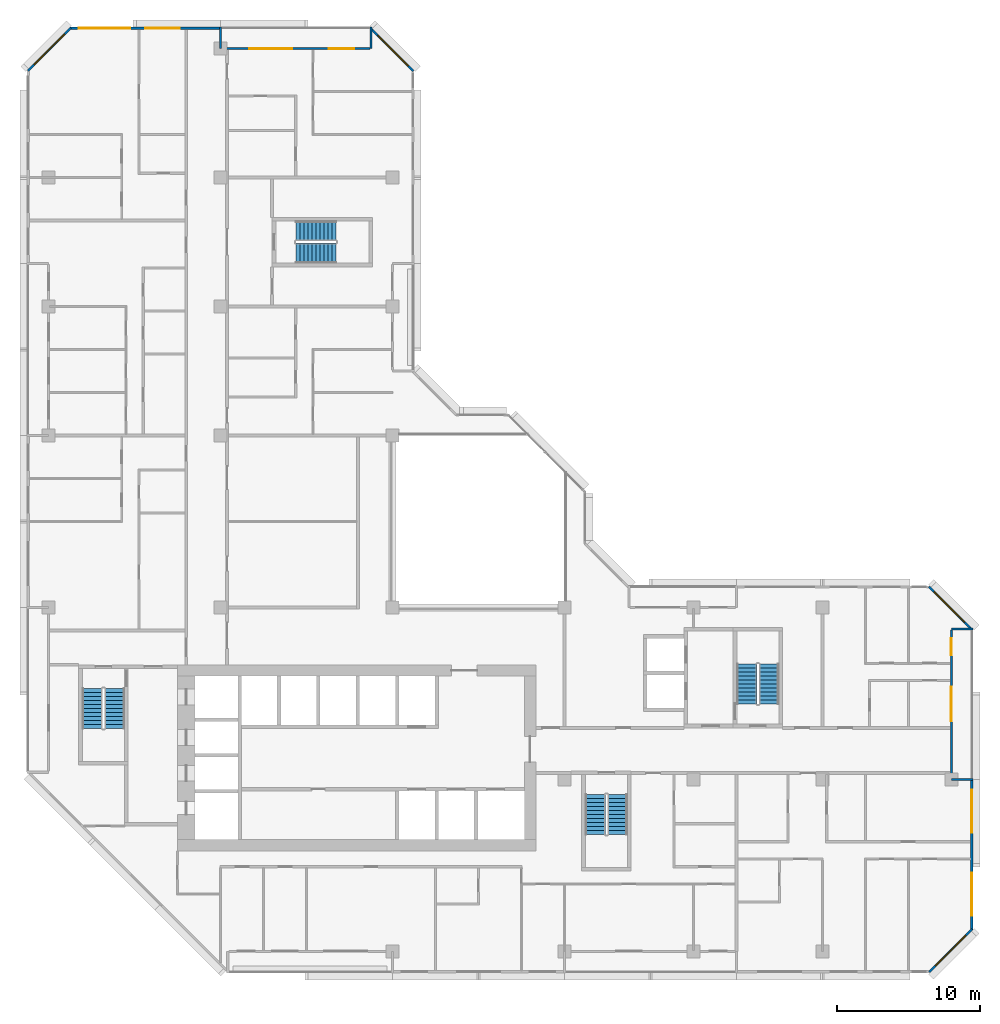
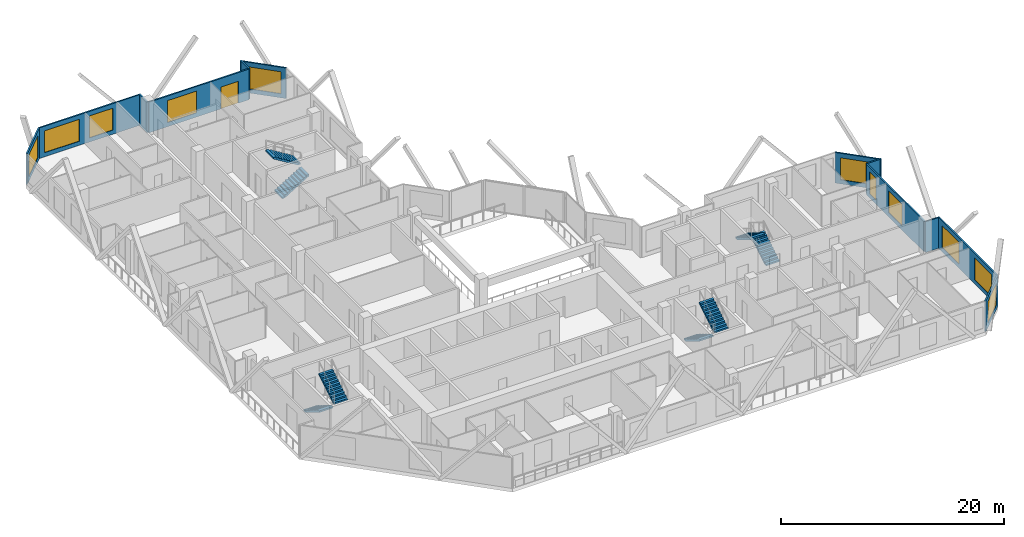
# One storey, part 12 of 14: 12 walls, 11 windows, 8 stair flights, 1 door, 12 openings, 4 elements without a shape of their own.
"""IFC4 building model written with IfcOpenShell, lengths in metres."""

from ifc_helpers import new_model, si_unit, direction, frame, frame_2d, origin, place, context, subcontext, project, spatial, polyline, rectangle, outline, extrude, material, layer, layer_set, type_object, element, fill, aggregate, save


model = new_model("IFC4")

# Units and contexts
model_context = context("Model", 3, precision=1e-05, world=origin(), true_north=direction((0.0, 1.0)))
body_context = subcontext(model_context, "Body", "Model", "MODEL_VIEW")
ifc_project = project(units=[si_unit("LENGTHUNIT", "METRE"), si_unit("AREAUNIT", "SQUARE_METRE"), si_unit("VOLUMEUNIT", "CUBIC_METRE"), si_unit("PLANEANGLEUNIT", "RADIAN"), si_unit("MASSUNIT", "GRAM", prefix="KILO")], contexts=[model_context])

# Site, building, storey
site_placement = place(None, origin())
site = spatial("IfcSite", under=ifc_project, at=site_placement, CompositionType="ELEMENT")
building_placement = place(site_placement, origin())
building = spatial("IfcBuilding", under=site, at=building_placement, Name="Chenar Terraces", CompositionType="ELEMENT")
storey_placement = place(building_placement, frame((0.0, 0.0, 164.89990234375)))
storey = spatial("IfcBuildingStorey", under=building, at=storey_placement, Name="L37", CompositionType="ELEMENT", Elevation=164.89990234375)

# Wall, openings, windows
ifc_material_1 = material(Name="Aluminium framed glazing", Category="aluminium")
ifc_layer_1 = layer(ifc_material_1, 0.14990234375)
ifc_layer_set_1 = layer_set([ifc_layer_1], Name="Aluminium framed glazing")
wall_type_1 = type_object("IfcWallType", Name="Glazed flush facade wall 150", PredefinedType="SOLIDWALL", material=ifc_layer_set_1)
wall_1_placement = place(storey_placement, frame((11.925048828125, 64.425048828125, 0.0), z_axis=(0.0, 0.0, 1.0), x_axis=(-1.0, 0.0, 0.0)))
wall_1 = element("IfcWall", 1, at=wall_1_placement, inside=storey, type_object=wall_type_1, Name="Glazed flush facade wall", PredefinedType="SOLIDWALL", context=body_context, shape_type="SweptSolid", body=[
    extrude(rectangle(XDim=10.425048828125, YDim=0.14990234375, at=frame_2d((5.21240234375, 0.0))), origin(), (0.0, 0.0, 1.0), 3.35009765625),
])
opening_1_placement = place(wall_1_placement, frame((2.77490234375, 0.0, 0.449951171875)))
opening_1 = element("IfcOpeningElement", 2, at=opening_1_placement, cuts=wall_1, Name="Opening W240x240", PredefinedType="OPENING", context=body_context, shape_type="SweptSolid", body=[
    extrude(rectangle(XDim=2.39990234375, YDim=2.39990234375, at=frame_2d((1.199951171875, 1.199951171875))), frame((0.0, 0.0849609375, 0.0), z_axis=(0.0, -1.0, 0.0), x_axis=(1.0, 0.0, 0.0)), (0.0, 0.0, 1.0), 0.169921875),
])
opening_2_placement = place(wall_1_placement, frame((6.22509765625, 0.0, 0.449951171875)))
opening_2 = element("IfcOpeningElement", 3, at=opening_2_placement, cuts=wall_1, Name="Opening W360x240", PredefinedType="OPENING", context=body_context, shape_type="SweptSolid", body=[
    extrude(rectangle(XDim=3.60009765625, YDim=2.39990234375, at=frame_2d((1.800048828125, 1.199951171875))), frame((0.0, 0.0849609375, 0.0), z_axis=(0.0, -1.0, 0.0), x_axis=(1.0, 0.0, 0.0)), (0.0, 0.0, 1.0), 0.169921875),
])
ifc_material_2 = material(Name="Low emissivity double glazing, aluminium frame", Category="aluminium")
window_type_1 = type_object("IfcWindowType", Name="Fixed light 2400 x 2400", PartitioningType="SINGLE_PANEL", PredefinedType="WINDOW", material=ifc_material_2)
window_1_placement = place(opening_1_placement, origin())
window_1 = element("IfcWindow", 4, at=window_1_placement, inside=storey, type_object=window_type_1, Name="Window", OverallHeight=2.39990234375, OverallWidth=2.39990234375, PartitioningType="SINGLE_PANEL", PredefinedType="WINDOW", context=body_context, shape_type="SweptSolid", body=[
    extrude(rectangle(XDim=2.39990234375, YDim=2.39990234375, at=frame_2d((1.199951171875, 1.199951171875))), frame((0.0, 0.030029296875, 0.0), z_axis=(0.0, -1.0, 0.0), x_axis=(1.0, 0.0, 0.0)), (0.0, 0.0, 1.0), 0.06005859375),
])
fill(opening_1, window_1)
ifc_material_3 = material(Name="Low emissivity double glazing, aluminium frame", Category="aluminium")
window_type_2 = type_object("IfcWindowType", Name="Fixed light 3600 x 2400", PartitioningType="SINGLE_PANEL", PredefinedType="WINDOW", material=ifc_material_3)
window_2_placement = place(opening_2_placement, origin())
window_2 = element("IfcWindow", 5, at=window_2_placement, inside=storey, type_object=window_type_2, Name="Window", OverallHeight=2.39990234375, OverallWidth=3.60009765625, PartitioningType="SINGLE_PANEL", PredefinedType="WINDOW", context=body_context, shape_type="SweptSolid", body=[
    extrude(rectangle(XDim=3.60009765625, YDim=2.39990234375, at=frame_2d((1.800048828125, 1.199951171875))), frame((0.0, 0.030029296875, 0.0), z_axis=(0.0, -1.0, 0.0), x_axis=(1.0, 0.0, 0.0)), (0.0, 0.0, 1.0), 0.06005859375),
])
fill(opening_2, window_2)

wall_2_placement = place(storey_placement, frame((64.425048828125, 1.5, 0.0), z_axis=(0.0, 0.0, 1.0), x_axis=(0.0, 1.0, 0.0)))
wall_2 = element("IfcWall", 6, at=wall_2_placement, inside=storey, type_object=wall_type_1, Name="Glazed flush facade wall", PredefinedType="SOLIDWALL", context=body_context, shape_type="SweptSolid", body=[
    extrude(rectangle(XDim=10.425048828125, YDim=0.14990234375, at=frame_2d((5.21240234375, 0.0))), origin(), (0.0, 0.0, 1.0), 3.35009765625),
])
opening_3_placement = place(wall_2_placement, frame((0.97509765625, 0.0, 0.449951171875)))
opening_3 = element("IfcOpeningElement", 7, at=opening_3_placement, cuts=wall_2, Name="Opening W300x240", PredefinedType="OPENING", context=body_context, shape_type="SweptSolid", body=[
    extrude(rectangle(XDim=3.0, YDim=2.39990234375, at=frame_2d((1.5, 1.199951171875))), frame((0.0, 0.0849609375, 0.0), z_axis=(0.0, -1.0, 0.0), x_axis=(1.0, 0.0, 0.0)), (0.0, 0.0, 1.0), 0.169921875),
])
opening_4_placement = place(wall_2_placement, frame((6.78759765625, 0.0, 0.449951171875)))
opening_4 = element("IfcOpeningElement", 8, at=opening_4_placement, cuts=wall_2, Name="Opening W300x240", PredefinedType="OPENING", context=body_context, shape_type="SweptSolid", body=[
    extrude(rectangle(XDim=3.0, YDim=2.39990234375, at=frame_2d((1.5, 1.199951171875))), frame((0.0, 0.0849609375, 0.0), z_axis=(0.0, -1.0, 0.0), x_axis=(1.0, 0.0, 0.0)), (0.0, 0.0, 1.0), 0.169921875),
])
ifc_material_4 = material(Name="Low emissivity double glazing, aluminium frame", Category="aluminium")
window_type_3 = type_object("IfcWindowType", Name="Fixed light 3000 x 2400", PartitioningType="SINGLE_PANEL", PredefinedType="WINDOW", material=ifc_material_4)
window_3_placement = place(opening_3_placement, origin())
window_3 = element("IfcWindow", 9, at=window_3_placement, inside=storey, type_object=window_type_3, Name="Window", OverallHeight=2.39990234375, OverallWidth=3.0, PartitioningType="SINGLE_PANEL", PredefinedType="WINDOW", context=body_context, shape_type="SweptSolid", body=[
    extrude(rectangle(XDim=3.0, YDim=2.39990234375, at=frame_2d((1.5, 1.199951171875))), frame((0.0, 0.030029296875, 0.0), z_axis=(0.0, -1.0, 0.0), x_axis=(1.0, 0.0, 0.0)), (0.0, 0.0, 1.0), 0.06005859375),
])
fill(opening_3, window_3)
window_4_placement = place(opening_4_placement, origin())
window_4 = element("IfcWindow", 10, at=window_4_placement, inside=storey, type_object=window_type_3, Name="Window", OverallHeight=2.39990234375, OverallWidth=3.0, PartitioningType="SINGLE_PANEL", PredefinedType="WINDOW", context=body_context, shape_type="SweptSolid", body=[
    extrude(rectangle(XDim=3.0, YDim=2.39990234375, at=frame_2d((1.5, 1.199951171875))), frame((0.0, 0.030029296875, 0.0), z_axis=(0.0, -1.0, 0.0), x_axis=(1.0, 0.0, 0.0)), (0.0, 0.0, 1.0), 0.06005859375),
])
fill(opening_4, window_4)

# Wall, openings, window, door
ifc_material_5 = material(Name="Aluminium framed glazing", Category="aluminium")
ifc_layer_2 = layer(ifc_material_5, 0.14990234375)
ifc_layer_set_2 = layer_set([ifc_layer_2], Name="Aluminium framed glazing")
wall_type_2 = type_object("IfcWallType", Name="Glazed loggia back wall 150", PredefinedType="SOLIDWALL", material=ifc_layer_set_2)
wall_3_placement = place(storey_placement, frame((22.425048828125, 63.0, 0.0), z_axis=(0.0, 0.0, 1.0), x_axis=(-1.0, 0.0, 0.0)))
wall_3 = element("IfcWall", 11, at=wall_3_placement, inside=storey, type_object=wall_type_2, Name="Glazed loggia back wall", PredefinedType="SOLIDWALL", context=body_context, shape_type="SweptSolid", body=[
    extrude(rectangle(XDim=10.35009765625, YDim=0.14990234375, at=frame_2d((5.175048828125, 0.0))), origin(), (0.0, 0.0, 1.0), 3.35009765625),
])
opening_5_placement = place(wall_3_placement, frame((1.08740234375, 0.0, 0.0)))
opening_5 = element("IfcOpeningElement", 12, at=opening_5_placement, cuts=wall_3, Name="Opening DL37-G2", PredefinedType="OPENING", context=body_context, shape_type="SweptSolid", body=[
    extrude(rectangle(XDim=1.800048828125, YDim=2.39990234375, at=frame_2d((0.89990234375, 1.199951171875))), frame((0.0, 0.0849609375, 0.0), z_axis=(0.0, -1.0, 0.0), x_axis=(1.0, 0.0, 0.0)), (0.0, 0.0, 1.0), 0.169921875),
])
opening_6_placement = place(wall_3_placement, frame((5.425048828125, 0.0, 0.449951171875)))
opening_6 = element("IfcOpeningElement", 13, at=opening_6_placement, cuts=wall_3, Name="Opening W300x240", PredefinedType="OPENING", context=body_context, shape_type="SweptSolid", body=[
    extrude(rectangle(XDim=3.0, YDim=2.39990234375, at=frame_2d((1.5, 1.199951171875))), frame((0.0, 0.0849609375, 0.0), z_axis=(0.0, -1.0, 0.0), x_axis=(1.0, 0.0, 0.0)), (0.0, 0.0, 1.0), 0.169921875),
])
window_5_placement = place(opening_6_placement, origin())
window_5 = element("IfcWindow", 14, at=window_5_placement, inside=storey, type_object=window_type_3, Name="Window", OverallHeight=2.39990234375, OverallWidth=3.0, PartitioningType="SINGLE_PANEL", PredefinedType="WINDOW", context=body_context, shape_type="SweptSolid", body=[
    extrude(rectangle(XDim=3.0, YDim=2.39990234375, at=frame_2d((1.5, 1.199951171875))), frame((0.0, 0.030029296875, 0.0), z_axis=(0.0, -1.0, 0.0), x_axis=(1.0, 0.0, 0.0)), (0.0, 0.0, 1.0), 0.06005859375),
])
fill(opening_6, window_5)
ifc_material_6 = material(Name="Low emissivity double glazing, aluminium frame", Category="aluminium")
door_type = type_object("IfcDoorType", Name="Loggia glazed double door 1800 x 2400", OperationType="DOUBLE_DOOR_SINGLE_SWING", PredefinedType="DOOR", material=ifc_material_6)
door_placement = place(opening_5_placement, frame((1.800048828125, 0.0, 0.0), z_axis=(0.0, 0.0, 1.0), x_axis=(-1.0, 0.0, 0.0)))
door = element("IfcDoor", 15, at=door_placement, inside=storey, type_object=door_type, Name="Loggia glazed door", OperationType="DOUBLE_DOOR_SINGLE_SWING", OverallHeight=2.39990234375, OverallWidth=1.800048828125, PredefinedType="DOOR", context=body_context, shape_type="SweptSolid", body=[
    extrude(rectangle(XDim=1.800048828125, YDim=2.39990234375, at=frame_2d((0.89990234375, 1.199951171875))), frame((0.0, 0.02490234375, 0.0), z_axis=(0.0, -1.0, 0.0), x_axis=(1.0, 0.0, 0.0)), (0.0, 0.0, 1.0), 0.050048828125),
])
fill(opening_5, door)

# Wall, openings, windows
wall_4_placement = place(storey_placement, frame((63.0, 12.074951171875, 0.0), z_axis=(0.0, 0.0, 1.0), x_axis=(0.0, 1.0, 0.0)))
wall_4 = element("IfcWall", 16, at=wall_4_placement, inside=storey, type_object=wall_type_2, Name="Glazed loggia back wall", PredefinedType="SOLIDWALL", context=body_context, shape_type="SweptSolid", body=[
    extrude(rectangle(XDim=10.35009765625, YDim=0.14990234375, at=frame_2d((5.175048828125, 0.0))), origin(), (0.0, 0.0, 1.0), 3.35009765625),
])
opening_7_placement = place(wall_4_placement, frame((3.97509765625, 0.0, 0.449951171875)))
opening_7 = element("IfcOpeningElement", 17, at=opening_7_placement, cuts=wall_4, Name="Opening W240x240", PredefinedType="OPENING", context=body_context, shape_type="SweptSolid", body=[
    extrude(rectangle(XDim=2.39990234375, YDim=2.39990234375, at=frame_2d((1.199951171875, 1.199951171875))), frame((0.0, 0.0849609375, 0.0), z_axis=(0.0, -1.0, 0.0), x_axis=(1.0, 0.0, 0.0)), (0.0, 0.0, 1.0), 0.169921875),
])
opening_8_placement = place(wall_4_placement, frame((8.58740234375, 0.0, 0.449951171875)))
opening_8 = element("IfcOpeningElement", 18, at=opening_8_placement, cuts=wall_4, Name="Opening W120x240", PredefinedType="OPENING", context=body_context, shape_type="SweptSolid", body=[
    extrude(rectangle(XDim=1.199951171875, YDim=2.39990234375, at=frame_2d((0.60009765625, 1.199951171875))), frame((0.0, 0.0849609375, 0.0), z_axis=(0.0, -1.0, 0.0), x_axis=(1.0, 0.0, 0.0)), (0.0, 0.0, 1.0), 0.169921875),
])
ifc_material_7 = material(Name="Low emissivity double glazing, aluminium frame", Category="aluminium")
window_type_4 = type_object("IfcWindowType", Name="Fixed light 1200 x 2400", PartitioningType="SINGLE_PANEL", PredefinedType="WINDOW", material=ifc_material_7)
window_6_placement = place(opening_8_placement, origin())
window_6 = element("IfcWindow", 19, at=window_6_placement, inside=storey, type_object=window_type_4, Name="Window", OverallHeight=2.39990234375, OverallWidth=1.199951171875, PartitioningType="SINGLE_PANEL", PredefinedType="WINDOW", context=body_context, shape_type="SweptSolid", body=[
    extrude(rectangle(XDim=1.199951171875, YDim=2.39990234375, at=frame_2d((0.60009765625, 1.199951171875))), frame((0.0, 0.030029296875, 0.0), z_axis=(0.0, -1.0, 0.0), x_axis=(1.0, 0.0, 0.0)), (0.0, 0.0, 1.0), 0.06005859375),
])
fill(opening_8, window_6)
window_7_placement = place(opening_7_placement, origin())
window_7 = element("IfcWindow", 20, at=window_7_placement, inside=storey, type_object=window_type_1, Name="Window", OverallHeight=2.39990234375, OverallWidth=2.39990234375, PartitioningType="SINGLE_PANEL", PredefinedType="WINDOW", context=body_context, shape_type="SweptSolid", body=[
    extrude(rectangle(XDim=2.39990234375, YDim=2.39990234375, at=frame_2d((1.199951171875, 1.199951171875))), frame((0.0, 0.030029296875, 0.0), z_axis=(0.0, -1.0, 0.0), x_axis=(1.0, 0.0, 0.0)), (0.0, 0.0, 1.0), 0.06005859375),
])
fill(opening_7, window_7)

# Walls
ifc_material_8 = material(Name="Terracotta cladding on insulated backing", Category="masonry")
ifc_layer_3 = layer(ifc_material_8, 0.14990234375)
ifc_layer_set_3 = layer_set([ifc_layer_3], Name="Terracotta cladding on insulated backing")
wall_type_3 = type_object("IfcWallType", Name="Loggia return wall 150", PredefinedType="SOLIDWALL", material=ifc_layer_set_3)
for number, where, z_axis, x_axis, name in (
    (21, (22.5, 64.5, 0.0), (0.0, 0.0, 1.0), (0.0, -1.0, 0.0), "Loggia return wall"),
    (22, (12.0, 64.5, 0.0), (0.0, 0.0, 1.0), (0.0, -1.0, 0.0), "Loggia return wall"),
    (23, (64.5, 12.0, 0.0), (0.0, 0.0, 1.0), (-1.0, 0.0, 0.0), "Loggia return wall"),
    (24, (64.5, 22.5, 0.0), (0.0, 0.0, 1.0), (-1.0, 0.0, 0.0), "Loggia return wall"),
):
    element("IfcWall", number, at=place(storey_placement, frame(where, z_axis=z_axis, x_axis=x_axis)), inside=storey, type_object=wall_type_3, Name=name, PredefinedType="SOLIDWALL", context=body_context, shape_type="SweptSolid", body=[
        extrude(rectangle(XDim=1.5, YDim=0.14990234375, at=frame_2d((0.75, 0.0))), origin(), (0.0, 0.0, 1.0), 3.35009765625),
    ])

# Wall, opening, window
ifc_material_9 = material(Name="Terracotta cladding on insulated backing", Category="masonry")
ifc_layer_4 = layer(ifc_material_9, 0.14990234375)
ifc_layer_set_4 = layer_set([ifc_layer_4], Name="Terracotta cladding on insulated backing")
wall_type_4 = type_object("IfcWallType", Name="Terracotta rainscreen wall 150", PredefinedType="SOLIDWALL", material=ifc_layer_set_4)
wall_5_placement = place(storey_placement, frame((25.447021484375, 61.447021484375, 0.0), z_axis=(0.0, 0.0, 1.0), x_axis=(-0.707106781187, 0.707106781187, 0.0)))
wall_5 = element("IfcWall", 25, at=wall_5_placement, inside=storey, type_object=wall_type_4, Name="Terracotta rainscreen wall", PredefinedType="SOLIDWALL", context=body_context, shape_type="SweptSolid", body=[
    extrude(rectangle(XDim=4.24267578125, YDim=0.14990234375, at=frame_2d((2.121337890625, 0.0))), origin(), (0.0, 0.0, 1.0), 3.35009765625),
])
opening_9_placement = place(wall_5_placement, frame((0.498046875, 0.0, 0.449951171875)))
opening_9 = element("IfcOpeningElement", 26, at=opening_9_placement, cuts=wall_5, Name="Opening W300x240", PredefinedType="OPENING", context=body_context, shape_type="SweptSolid", body=[
    extrude(rectangle(XDim=3.0, YDim=2.39990234375, at=frame_2d((1.5, 1.199951171875))), frame((0.0, 0.0849609375, 0.0), z_axis=(0.0, -1.0, 0.0), x_axis=(1.0, 0.0, 0.0)), (0.0, 0.0, 1.0), 0.169921875),
])
window_8_placement = place(opening_9_placement, origin())
window_8 = element("IfcWindow", 27, at=window_8_placement, inside=storey, type_object=window_type_3, Name="Window", OverallHeight=2.39990234375, OverallWidth=3.0, PartitioningType="SINGLE_PANEL", PredefinedType="WINDOW", context=body_context, shape_type="SweptSolid", body=[
    extrude(rectangle(XDim=3.0, YDim=2.39990234375, at=frame_2d((1.5, 1.199951171875))), frame((0.0, 0.030029296875, 0.0), z_axis=(0.0, -1.0, 0.0), x_axis=(1.0, 0.0, 0.0)), (0.0, 0.0, 1.0), 0.06005859375),
])
fill(opening_9, window_8)

wall_6_placement = place(storey_placement, frame((1.552978515625, 64.447021484375, 0.0), z_axis=(0.0, 0.0, 1.0), x_axis=(-0.707106781187, -0.707106781187, 0.0)))
wall_6 = element("IfcWall", 28, at=wall_6_placement, inside=storey, type_object=wall_type_4, Name="Terracotta rainscreen wall", PredefinedType="SOLIDWALL", context=body_context, shape_type="SweptSolid", body=[
    extrude(rectangle(XDim=4.24267578125, YDim=0.14990234375, at=frame_2d((2.121337890625, 0.0))), origin(), (0.0, 0.0, 1.0), 3.35009765625),
])
opening_10_placement = place(wall_6_placement, frame((0.621337890625, 0.0, 0.449951171875)))
opening_10 = element("IfcOpeningElement", 29, at=opening_10_placement, cuts=wall_6, Name="Opening W300x240", PredefinedType="OPENING", context=body_context, shape_type="SweptSolid", body=[
    extrude(rectangle(XDim=3.0, YDim=2.39990234375, at=frame_2d((1.5, 1.199951171875))), frame((0.0, 0.0849609375, 0.0), z_axis=(0.0, -1.0, 0.0), x_axis=(1.0, 0.0, 0.0)), (0.0, 0.0, 1.0), 0.169921875),
])
window_9_placement = place(opening_10_placement, origin())
window_9 = element("IfcWindow", 30, at=window_9_placement, inside=storey, type_object=window_type_3, Name="Window", OverallHeight=2.39990234375, OverallWidth=3.0, PartitioningType="SINGLE_PANEL", PredefinedType="WINDOW", context=body_context, shape_type="SweptSolid", body=[
    extrude(rectangle(XDim=3.0, YDim=2.39990234375, at=frame_2d((1.5, 1.199951171875))), frame((0.0, 0.030029296875, 0.0), z_axis=(0.0, -1.0, 0.0), x_axis=(1.0, 0.0, 0.0)), (0.0, 0.0, 1.0), 0.06005859375),
])
fill(opening_10, window_9)

wall_7_placement = place(storey_placement, frame((61.447021484375, -1.447021484375, 0.0), z_axis=(0.0, 0.0, 1.0), x_axis=(0.707106781187, 0.707106781187, 0.0)))
wall_7 = element("IfcWall", 31, at=wall_7_placement, inside=storey, type_object=wall_type_4, Name="Terracotta rainscreen wall", PredefinedType="SOLIDWALL", context=body_context, shape_type="SweptSolid", body=[
    extrude(rectangle(XDim=4.24267578125, YDim=0.14990234375, at=frame_2d((2.121337890625, 0.0))), origin(), (0.0, 0.0, 1.0), 3.35009765625),
])
opening_11_placement = place(wall_7_placement, frame((0.621337890625, 0.0, 0.449951171875)))
opening_11 = element("IfcOpeningElement", 32, at=opening_11_placement, cuts=wall_7, Name="Opening W300x240", PredefinedType="OPENING", context=body_context, shape_type="SweptSolid", body=[
    extrude(rectangle(XDim=3.0, YDim=2.39990234375, at=frame_2d((1.5, 1.199951171875))), frame((0.0, 0.0849609375, 0.0), z_axis=(0.0, -1.0, 0.0), x_axis=(1.0, 0.0, 0.0)), (0.0, 0.0, 1.0), 0.169921875),
])
window_10_placement = place(opening_11_placement, origin())
window_10 = element("IfcWindow", 33, at=window_10_placement, inside=storey, type_object=window_type_3, Name="Window", OverallHeight=2.39990234375, OverallWidth=3.0, PartitioningType="SINGLE_PANEL", PredefinedType="WINDOW", context=body_context, shape_type="SweptSolid", body=[
    extrude(rectangle(XDim=3.0, YDim=2.39990234375, at=frame_2d((1.5, 1.199951171875))), frame((0.0, 0.030029296875, 0.0), z_axis=(0.0, -1.0, 0.0), x_axis=(1.0, 0.0, 0.0)), (0.0, 0.0, 1.0), 0.06005859375),
])
fill(opening_11, window_10)

wall_8_placement = place(storey_placement, frame((64.447021484375, 22.447021484375, 0.0), z_axis=(0.0, 0.0, 1.0), x_axis=(-0.707106781187, 0.707106781187, 0.0)))
wall_8 = element("IfcWall", 34, at=wall_8_placement, inside=storey, type_object=wall_type_4, Name="Terracotta rainscreen wall", PredefinedType="SOLIDWALL", context=body_context, shape_type="SweptSolid", body=[
    extrude(rectangle(XDim=4.24267578125, YDim=0.14990234375, at=frame_2d((2.121337890625, 0.0))), origin(), (0.0, 0.0, 1.0), 3.35009765625),
])
opening_12_placement = place(wall_8_placement, frame((0.744384765625, 0.0, 0.449951171875)))
opening_12 = element("IfcOpeningElement", 35, at=opening_12_placement, cuts=wall_8, Name="Opening W300x240", PredefinedType="OPENING", context=body_context, shape_type="SweptSolid", body=[
    extrude(rectangle(XDim=3.0, YDim=2.39990234375, at=frame_2d((1.5, 1.199951171875))), frame((0.0, 0.0849609375, 0.0), z_axis=(0.0, -1.0, 0.0), x_axis=(1.0, 0.0, 0.0)), (0.0, 0.0, 1.0), 0.169921875),
])
window_11_placement = place(opening_12_placement, origin())
window_11 = element("IfcWindow", 36, at=window_11_placement, inside=storey, type_object=window_type_3, Name="Window", OverallHeight=2.39990234375, OverallWidth=3.0, PartitioningType="SINGLE_PANEL", PredefinedType="WINDOW", context=body_context, shape_type="SweptSolid", body=[
    extrude(rectangle(XDim=3.0, YDim=2.39990234375, at=frame_2d((1.5, 1.199951171875))), frame((0.0, 0.030029296875, 0.0), z_axis=(0.0, -1.0, 0.0), x_axis=(1.0, 0.0, 0.0)), (0.0, 0.0, 1.0), 0.06005859375),
])
fill(opening_12, window_11)

# Stair, stair flights
ifc_material_10 = material(Name="Reinforced concrete C40/50", Category="concrete")
stair_type = type_object("IfcStairType", Name="Core stair 1400 half-turn", PredefinedType="HALF_TURN_STAIR", material=ifc_material_10)
placement = place(storey_placement, origin())
stair_1 = element("IfcStair", 37, at=placement, inside=storey, type_object=stair_type, Name="L37 Stair 1", PredefinedType="HALF_TURN_STAIR")
ifc_material_11 = material(Name="Reinforced concrete C40/50", Category="concrete")
stair_flight_type = type_object("IfcStairFlightType", Name="Core stair flight 1400", PredefinedType="STRAIGHT", material=ifc_material_11)
stair_flight_1_placement = place(storey_placement, frame((3.050048828125, 18.35009765625, 0.0), z_axis=(0.0, 0.0, 1.0), x_axis=(0.0, -1.0, 0.0)))
stair_flight_1 = element("IfcStairFlight", 38, at=stair_flight_1_placement, type_object=stair_flight_type, Name="ST1 flight 1", NumberOfRisers=11, NumberOfTreads=10, PredefinedType="STRAIGHT", RiserHeight=0.170454545, TreadLength=0.28, context=body_context, shape_type="SweptSolid", body=[
    extrude(outline(polyline([(-0.0029296875, 0.0), (-0.0029296875, 0.17041015625), (0.0, 0.17041015625), (0.280029296875, 0.17041015625), (0.280029296875, 0.3408203125), (0.56005859375, 0.3408203125), (0.56005859375, 0.511474609375), (0.840087890625, 0.511474609375), (0.840087890625, 0.681884765625), (1.1201171875, 0.681884765625), (1.1201171875, 0.852294921875), (1.39990234375, 0.852294921875), (1.39990234375, 1.022705078125), (1.679931640625, 1.022705078125), (1.679931640625, 1.193115234375), (1.9599609375, 1.193115234375), (1.9599609375, 1.363525390625), (2.239990234375, 1.363525390625), (2.239990234375, 1.5341796875), (2.52001953125, 1.5341796875), (2.52001953125, 1.70458984375), (2.800048828125, 1.70458984375), (2.802978515625, 1.70458984375), (2.802978515625, 1.529052734375), (2.800048828125, 1.529052734375), (0.288330078125, 0.0), (-0.0029296875, 0.0)])), frame((0.0, 0.699951171875, 0.0), z_axis=(0.0, -1.0, 0.0), x_axis=(1.0, 0.0, 0.0)), (0.0, 0.0, 1.0), 1.39990234375),
])
stair_flight_2_placement = place(storey_placement, frame((4.60009765625, 15.550048828125, 1.875), z_axis=(0.0, 0.0, 1.0), x_axis=(0.0, 1.0, 0.0)))
stair_flight_2 = element("IfcStairFlight", 39, at=stair_flight_2_placement, type_object=stair_flight_type, Name="ST1 flight 2", NumberOfRisers=11, NumberOfTreads=10, PredefinedType="STRAIGHT", RiserHeight=0.170454545, TreadLength=0.28, context=body_context, shape_type="SweptSolid", body=[
    extrude(outline(polyline([(-0.0029296875, 0.0), (-0.0029296875, 0.17041015625), (0.0, 0.17041015625), (0.280029296875, 0.17041015625), (0.280029296875, 0.3408203125), (0.56005859375, 0.3408203125), (0.56005859375, 0.511474609375), (0.840087890625, 0.511474609375), (0.840087890625, 0.681884765625), (1.1201171875, 0.681884765625), (1.1201171875, 0.852294921875), (1.39990234375, 0.852294921875), (1.39990234375, 1.022705078125), (1.679931640625, 1.022705078125), (1.679931640625, 1.193115234375), (1.9599609375, 1.193115234375), (1.9599609375, 1.363525390625), (2.239990234375, 1.363525390625), (2.239990234375, 1.5341796875), (2.52001953125, 1.5341796875), (2.52001953125, 1.70458984375), (2.800048828125, 1.70458984375), (2.802978515625, 1.70458984375), (2.802978515625, 1.529052734375), (2.800048828125, 1.529052734375), (0.288330078125, 0.0), (-0.0029296875, 0.0)])), frame((0.0, 0.699951171875, 0.0), z_axis=(0.0, -1.0, 0.0), x_axis=(1.0, 0.0, 0.0)), (0.0, 0.0, 1.0), 1.39990234375),
])
aggregate(stair_1, [stair_flight_1, stair_flight_2])

stair_2 = element("IfcStair", 40, at=placement, inside=storey, type_object=stair_type, Name="L37 Stair 2", PredefinedType="HALF_TURN_STAIR")
stair_flight_3_placement = place(storey_placement, frame((38.14990234375, 10.949951171875, 0.0), z_axis=(0.0, 0.0, 1.0), x_axis=(0.0, -1.0, 0.0)))
stair_flight_3 = element("IfcStairFlight", 41, at=stair_flight_3_placement, type_object=stair_flight_type, Name="ST2 flight 1", NumberOfRisers=11, NumberOfTreads=10, PredefinedType="STRAIGHT", RiserHeight=0.170454545, TreadLength=0.28, context=body_context, shape_type="SweptSolid", body=[
    extrude(outline(polyline([(-0.0029296875, 0.0), (-0.0029296875, 0.17041015625), (0.0, 0.17041015625), (0.280029296875, 0.17041015625), (0.280029296875, 0.3408203125), (0.56005859375, 0.3408203125), (0.56005859375, 0.511474609375), (0.840087890625, 0.511474609375), (0.840087890625, 0.681884765625), (1.1201171875, 0.681884765625), (1.1201171875, 0.852294921875), (1.39990234375, 0.852294921875), (1.39990234375, 1.022705078125), (1.679931640625, 1.022705078125), (1.679931640625, 1.193115234375), (1.9599609375, 1.193115234375), (1.9599609375, 1.363525390625), (2.239990234375, 1.363525390625), (2.239990234375, 1.5341796875), (2.52001953125, 1.5341796875), (2.52001953125, 1.70458984375), (2.800048828125, 1.70458984375), (2.802978515625, 1.70458984375), (2.802978515625, 1.529052734375), (2.800048828125, 1.529052734375), (0.288330078125, 0.0), (-0.0029296875, 0.0)])), frame((0.0, 0.699951171875, 0.0), z_axis=(0.0, -1.0, 0.0), x_axis=(1.0, 0.0, 0.0)), (0.0, 0.0, 1.0), 1.39990234375),
])
stair_flight_4_placement = place(storey_placement, frame((39.699951171875, 8.14990234375, 1.875), z_axis=(0.0, 0.0, 1.0), x_axis=(0.0, 1.0, 0.0)))
stair_flight_4 = element("IfcStairFlight", 42, at=stair_flight_4_placement, type_object=stair_flight_type, Name="ST2 flight 2", NumberOfRisers=11, NumberOfTreads=10, PredefinedType="STRAIGHT", RiserHeight=0.170454545, TreadLength=0.28, context=body_context, shape_type="SweptSolid", body=[
    extrude(outline(polyline([(-0.0029296875, 0.0), (-0.0029296875, 0.17041015625), (0.0, 0.17041015625), (0.280029296875, 0.17041015625), (0.280029296875, 0.3408203125), (0.56005859375, 0.3408203125), (0.56005859375, 0.511474609375), (0.840087890625, 0.511474609375), (0.840087890625, 0.681884765625), (1.1201171875, 0.681884765625), (1.1201171875, 0.852294921875), (1.39990234375, 0.852294921875), (1.39990234375, 1.022705078125), (1.679931640625, 1.022705078125), (1.679931640625, 1.193115234375), (1.9599609375, 1.193115234375), (1.9599609375, 1.363525390625), (2.239990234375, 1.363525390625), (2.239990234375, 1.5341796875), (2.52001953125, 1.5341796875), (2.52001953125, 1.70458984375), (2.800048828125, 1.70458984375), (2.802978515625, 1.70458984375), (2.802978515625, 1.529052734375), (2.800048828125, 1.529052734375), (0.288330078125, 0.0), (-0.0029296875, 0.0)])), frame((0.0, 0.699951171875, 0.0), z_axis=(0.0, -1.0, 0.0), x_axis=(1.0, 0.0, 0.0)), (0.0, 0.0, 1.0), 1.39990234375),
])
aggregate(stair_2, [stair_flight_3, stair_flight_4])

stair_3 = element("IfcStair", 43, at=placement, inside=storey, type_object=stair_type, Name="L37 Stair 3", PredefinedType="HALF_TURN_STAIR")
stair_flight_5_placement = place(storey_placement, frame((50.27490234375, 17.25, 0.0), z_axis=(0.0, 0.0, 1.0), x_axis=(0.0, 1.0, 0.0)))
stair_flight_5 = element("IfcStairFlight", 44, at=stair_flight_5_placement, type_object=stair_flight_type, Name="ST3 flight 1", NumberOfRisers=11, NumberOfTreads=10, PredefinedType="STRAIGHT", RiserHeight=0.170454545, TreadLength=0.28, context=body_context, shape_type="SweptSolid", body=[
    extrude(outline(polyline([(-0.0029296875, 0.0), (-0.0029296875, 0.17041015625), (0.0, 0.17041015625), (0.280029296875, 0.17041015625), (0.280029296875, 0.3408203125), (0.56005859375, 0.3408203125), (0.56005859375, 0.511474609375), (0.840087890625, 0.511474609375), (0.840087890625, 0.681884765625), (1.1201171875, 0.681884765625), (1.1201171875, 0.852294921875), (1.39990234375, 0.852294921875), (1.39990234375, 1.022705078125), (1.679931640625, 1.022705078125), (1.679931640625, 1.193115234375), (1.9599609375, 1.193115234375), (1.9599609375, 1.363525390625), (2.239990234375, 1.363525390625), (2.239990234375, 1.5341796875), (2.52001953125, 1.5341796875), (2.52001953125, 1.70458984375), (2.800048828125, 1.70458984375), (2.802978515625, 1.70458984375), (2.802978515625, 1.529052734375), (2.800048828125, 1.529052734375), (0.288330078125, 0.0), (-0.0029296875, 0.0)])), frame((0.0, 0.699951171875, 0.0), z_axis=(0.0, -1.0, 0.0), x_axis=(1.0, 0.0, 0.0)), (0.0, 0.0, 1.0), 1.39990234375),
])
stair_flight_6_placement = place(storey_placement, frame((48.72509765625, 20.050048828125, 1.875), z_axis=(0.0, 0.0, 1.0), x_axis=(0.0, -1.0, 0.0)))
stair_flight_6 = element("IfcStairFlight", 45, at=stair_flight_6_placement, type_object=stair_flight_type, Name="ST3 flight 2", NumberOfRisers=11, NumberOfTreads=10, PredefinedType="STRAIGHT", RiserHeight=0.170454545, TreadLength=0.28, context=body_context, shape_type="SweptSolid", body=[
    extrude(outline(polyline([(-0.0029296875, 0.0), (-0.0029296875, 0.17041015625), (0.0, 0.17041015625), (0.280029296875, 0.17041015625), (0.280029296875, 0.3408203125), (0.56005859375, 0.3408203125), (0.56005859375, 0.511474609375), (0.840087890625, 0.511474609375), (0.840087890625, 0.681884765625), (1.1201171875, 0.681884765625), (1.1201171875, 0.852294921875), (1.39990234375, 0.852294921875), (1.39990234375, 1.022705078125), (1.679931640625, 1.022705078125), (1.679931640625, 1.193115234375), (1.9599609375, 1.193115234375), (1.9599609375, 1.363525390625), (2.239990234375, 1.363525390625), (2.239990234375, 1.5341796875), (2.52001953125, 1.5341796875), (2.52001953125, 1.70458984375), (2.800048828125, 1.70458984375), (2.802978515625, 1.70458984375), (2.802978515625, 1.529052734375), (2.800048828125, 1.529052734375), (0.288330078125, 0.0), (-0.0029296875, 0.0)])), frame((0.0, 0.699951171875, 0.0), z_axis=(0.0, -1.0, 0.0), x_axis=(1.0, 0.0, 0.0)), (0.0, 0.0, 1.0), 1.39990234375),
])
aggregate(stair_3, [stair_flight_5, stair_flight_6])

stair_4 = element("IfcStair", 46, at=placement, inside=storey, type_object=stair_type, Name="L37 Stair 4", PredefinedType="HALF_TURN_STAIR")
stair_flight_7_placement = place(storey_placement, frame((17.25, 48.72509765625, 0.0), z_axis=(0.0, 0.0, 1.0), x_axis=(1.0, 0.0, 0.0)))
stair_flight_7 = element("IfcStairFlight", 47, at=stair_flight_7_placement, type_object=stair_flight_type, Name="ST4 flight 1", NumberOfRisers=11, NumberOfTreads=10, PredefinedType="STRAIGHT", RiserHeight=0.170454545, TreadLength=0.28, context=body_context, shape_type="SweptSolid", body=[
    extrude(outline(polyline([(-0.0029296875, 0.0), (-0.0029296875, 0.17041015625), (0.0, 0.17041015625), (0.280029296875, 0.17041015625), (0.280029296875, 0.3408203125), (0.56005859375, 0.3408203125), (0.56005859375, 0.511474609375), (0.840087890625, 0.511474609375), (0.840087890625, 0.681884765625), (1.1201171875, 0.681884765625), (1.1201171875, 0.852294921875), (1.39990234375, 0.852294921875), (1.39990234375, 1.022705078125), (1.679931640625, 1.022705078125), (1.679931640625, 1.193115234375), (1.9599609375, 1.193115234375), (1.9599609375, 1.363525390625), (2.239990234375, 1.363525390625), (2.239990234375, 1.5341796875), (2.52001953125, 1.5341796875), (2.52001953125, 1.70458984375), (2.800048828125, 1.70458984375), (2.802978515625, 1.70458984375), (2.802978515625, 1.529052734375), (2.800048828125, 1.529052734375), (0.288330078125, 0.0), (-0.0029296875, 0.0)])), frame((0.0, 0.699951171875, 0.0), z_axis=(0.0, -1.0, 0.0), x_axis=(1.0, 0.0, 0.0)), (0.0, 0.0, 1.0), 1.39990234375),
])
stair_flight_8_placement = place(storey_placement, frame((20.050048828125, 50.27490234375, 1.875), z_axis=(0.0, 0.0, 1.0), x_axis=(-1.0, 0.0, 0.0)))
stair_flight_8 = element("IfcStairFlight", 48, at=stair_flight_8_placement, type_object=stair_flight_type, Name="ST4 flight 2", NumberOfRisers=11, NumberOfTreads=10, PredefinedType="STRAIGHT", RiserHeight=0.170454545, TreadLength=0.28, context=body_context, shape_type="SweptSolid", body=[
    extrude(outline(polyline([(-0.0029296875, 0.0), (-0.0029296875, 0.17041015625), (0.0, 0.17041015625), (0.280029296875, 0.17041015625), (0.280029296875, 0.3408203125), (0.56005859375, 0.3408203125), (0.56005859375, 0.511474609375), (0.840087890625, 0.511474609375), (0.840087890625, 0.681884765625), (1.1201171875, 0.681884765625), (1.1201171875, 0.852294921875), (1.39990234375, 0.852294921875), (1.39990234375, 1.022705078125), (1.679931640625, 1.022705078125), (1.679931640625, 1.193115234375), (1.9599609375, 1.193115234375), (1.9599609375, 1.363525390625), (2.239990234375, 1.363525390625), (2.239990234375, 1.5341796875), (2.52001953125, 1.5341796875), (2.52001953125, 1.70458984375), (2.800048828125, 1.70458984375), (2.802978515625, 1.70458984375), (2.802978515625, 1.529052734375), (2.800048828125, 1.529052734375), (0.288330078125, 0.0), (-0.0029296875, 0.0)])), frame((0.0, 0.699951171875, 0.0), z_axis=(0.0, -1.0, 0.0), x_axis=(1.0, 0.0, 0.0)), (0.0, 0.0, 1.0), 1.39990234375),
])
aggregate(stair_4, [stair_flight_7, stair_flight_8])

save(model, "model.ifc")
